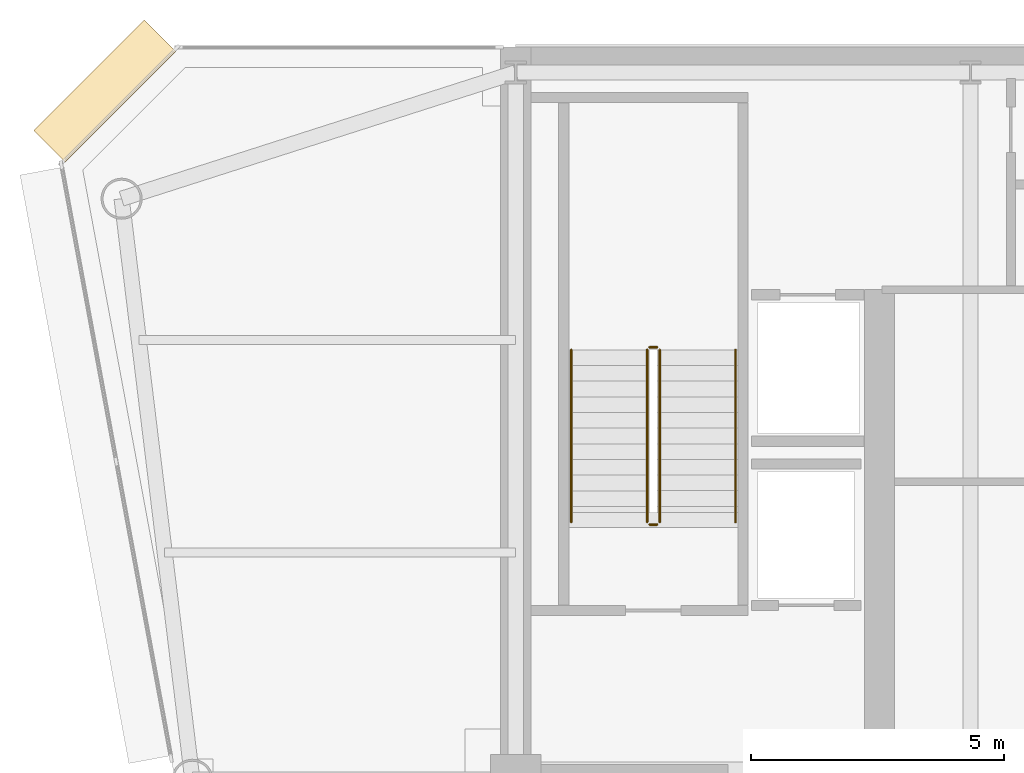
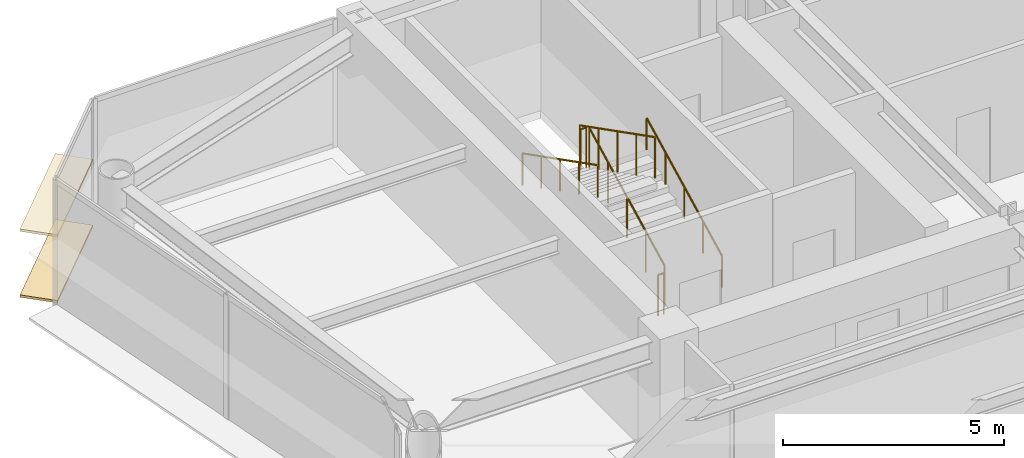
# One storey, part 15 of 17: 6 railings, 2 coverings.
"""IFC4 building model written with IfcOpenShell, lengths in metres."""

from ifc_helpers import new_model, si_unit, direction, frame, origin, origin_2d, place, context, subcontext, project, spatial, rectangle, circle, extrude, source, transform, mapped, material, layer, layer_set, type_object, element, save


model = new_model("IFC4")

# Units and contexts
model_context = context("Model", 3, precision=1e-05, world=origin(), true_north=direction((0.0, 1.0)))
body_context = subcontext(model_context, "Body", "Model", "MODEL_VIEW")
ifc_project = project(units=[si_unit("LENGTHUNIT", "METRE"), si_unit("AREAUNIT", "SQUARE_METRE"), si_unit("VOLUMEUNIT", "CUBIC_METRE"), si_unit("PLANEANGLEUNIT", "RADIAN"), si_unit("MASSUNIT", "GRAM", prefix="KILO")], contexts=[model_context])

# Site, building, storey
site_placement = place(None, origin())
site = spatial("IfcSite", under=ifc_project, at=site_placement, CompositionType="ELEMENT")
building_placement = place(site_placement, origin())
building = spatial("IfcBuilding", under=site, at=building_placement, Name="Vaeldorn Concourse Tower", CompositionType="ELEMENT")
storey_placement = place(building_placement, frame((0.0, 0.0, 214.60009765625)))
storey = spatial("IfcBuildingStorey", under=building, at=storey_placement, Name="L55", CompositionType="ELEMENT", Elevation=214.60009765625)

# Railings
ifc_material = material(Name="Anodised Bronze Aluminium", Category="aluminium")
railing_type_1 = type_object("IfcRailingType", Name="RL-STAIR-GUARD", PredefinedType="GUARDRAIL", material=ifc_material)
railing_1_placement = place(storey_placement, frame((16.85009765625, 41.60009765625, 0.158203125)))
element("IfcRailing", 1, at=railing_1_placement, inside=storey, type_object=railing_type_1, Name="L55 ST-1 stair guard 1", PredefinedType="GUARDRAIL", context=body_context, shape_type="SweptSolid", body=[
    extrude(circle(Radius=0.02392578125, at=origin_2d()), frame((0.0, 0.0, 1.1259765625), z_axis=(0.0, 0.890555807335, 0.454873997962), x_axis=(-1.0, 0.0, 0.0)), (0.0, 0.0, 1.0), 3.828857421875),
    extrude(circle(Radius=0.02099609375, at=origin_2d()), origin(), (0.0, 0.0, 1.0), 1.101806640625),
    extrude(circle(Radius=0.02099609375, at=origin_2d()), frame((0.0, 0.8525390625, 0.435546875)), (0.0, 0.0, 1.0), 1.101806640625),
    extrude(circle(Radius=0.02099609375, at=origin_2d()), frame((0.0, 1.705078125, 0.870849609375)), (0.0, 0.0, 1.0), 1.101806640625),
    extrude(circle(Radius=0.02099609375, at=origin_2d()), frame((0.0, 2.557373046875, 1.30615234375)), (0.0, 0.0, 1.0), 1.101806640625),
    extrude(circle(Radius=0.02099609375, at=origin_2d()), frame((0.0, 3.409912109375, 1.74169921875)), (0.0, 0.0, 1.0), 1.101806640625),
])
railing_2_placement = place(storey_placement, frame((16.800048828125, 45.06005859375, 1.89990234375)))
element("IfcRailing", 2, at=railing_2_placement, inside=storey, type_object=railing_type_1, Name="L55 ST-1 stair guard 2", PredefinedType="GUARDRAIL", context=body_context, shape_type="SweptSolid", body=[
    extrude(circle(Radius=0.02392578125, at=origin_2d()), frame((0.0, 0.0, 1.1259765625), z_axis=(-1.0, 0.0, 0.0), x_axis=(0.0, -1.0, 0.0)), (0.0, 0.0, 1.0), 0.150146484375),
    extrude(circle(Radius=0.02099609375, at=origin_2d()), origin(), (0.0, 0.0, 1.0), 1.101806640625),
    extrude(circle(Radius=0.02099609375, at=origin_2d()), frame((-0.150146484375, 0.0, 0.0)), (0.0, 0.0, 1.0), 1.101806640625),
])
railing_3_placement = place(storey_placement, frame((16.60009765625, 45.010009765625, 2.058349609375)))
element("IfcRailing", 3, at=railing_3_placement, inside=storey, type_object=railing_type_1, Name="L55 ST-1 stair guard 3", PredefinedType="GUARDRAIL", context=body_context, shape_type="SweptSolid", body=[
    extrude(circle(Radius=0.02392578125, at=origin_2d()), frame((0.0, 0.0, 1.1259765625), z_axis=(0.0, -0.890581635807, 0.454823427236), x_axis=(1.0, 0.0, 0.0)), (0.0, 0.0, 1.0), 3.828857421875),
    extrude(circle(Radius=0.02099609375, at=origin_2d()), origin(), (0.0, 0.0, 1.0), 1.101806640625),
    extrude(circle(Radius=0.02099609375, at=origin_2d()), frame((0.0, -0.8525390625, 0.435302734375)), (0.0, 0.0, 1.0), 1.101806640625),
    extrude(circle(Radius=0.02099609375, at=origin_2d()), frame((0.0, -1.705078125, 0.87060546875)), (0.0, 0.0, 1.0), 1.101806640625),
    extrude(circle(Radius=0.02099609375, at=origin_2d()), frame((0.0, -2.557373046875, 1.30615234375)), (0.0, 0.0, 1.0), 1.101806640625),
    extrude(circle(Radius=0.02099609375, at=origin_2d()), frame((0.0, -3.409912109375, 1.741455078125)), (0.0, 0.0, 1.0), 1.101806640625),
])
railing_4_placement = place(storey_placement, frame((16.800048828125, 41.550048828125, 0.0)))
element("IfcRailing", 4, at=railing_4_placement, inside=storey, type_object=railing_type_1, Name="L55 ST-1 stair guard 4", PredefinedType="GUARDRAIL", context=body_context, shape_type="SweptSolid", body=[
    extrude(circle(Radius=0.02392578125, at=origin_2d()), frame((0.0, 0.0, 1.1259765625), z_axis=(-1.0, 0.0, 0.0), x_axis=(0.0, -1.0, 0.0)), (0.0, 0.0, 1.0), 0.150146484375),
    extrude(circle(Radius=0.02099609375, at=origin_2d()), origin(), (0.0, 0.0, 1.0), 1.101806640625),
    extrude(circle(Radius=0.02099609375, at=origin_2d()), frame((-0.150146484375, 0.0, 0.0)), (0.0, 0.0, 1.0), 1.101806640625),
])
railing_type_2 = type_object("IfcRailingType", Name="RL-STAIR-HANDRAIL", PredefinedType="HANDRAIL", material=ifc_material)
railing_5_placement = place(storey_placement, frame((18.35009765625, 41.60009765625, 0.158203125)))
element("IfcRailing", 5, at=railing_5_placement, inside=storey, type_object=railing_type_2, Name="L55 ST-1 stair handrail 1", PredefinedType="HANDRAIL", context=body_context, shape_type="SweptSolid", body=[
    extrude(circle(Radius=0.02392578125, at=origin_2d()), frame((0.0, 0.0, 0.8759765625), z_axis=(0.0, 0.890555807335, 0.454873997962), x_axis=(-1.0, 0.0, 0.0)), (0.0, 0.0, 1.0), 3.828857421875),
    extrude(circle(Radius=0.02099609375, at=origin_2d()), origin(), (0.0, 0.0, 1.0), 0.851806640625),
    extrude(circle(Radius=0.02099609375, at=origin_2d()), frame((0.0, 0.8525390625, 0.435546875)), (0.0, 0.0, 1.0), 0.851806640625),
    extrude(circle(Radius=0.02099609375, at=origin_2d()), frame((0.0, 1.705078125, 0.870849609375)), (0.0, 0.0, 1.0), 0.851806640625),
    extrude(circle(Radius=0.02099609375, at=origin_2d()), frame((0.0, 2.557373046875, 1.30615234375)), (0.0, 0.0, 1.0), 0.851806640625),
    extrude(circle(Radius=0.02099609375, at=origin_2d()), frame((0.0, 3.409912109375, 1.74169921875)), (0.0, 0.0, 1.0), 0.851806640625),
])
railing_6_placement = place(storey_placement, frame((15.10009765625, 45.010009765625, 2.058349609375)))
element("IfcRailing", 6, at=railing_6_placement, inside=storey, type_object=railing_type_2, Name="L55 ST-1 stair handrail 2", PredefinedType="HANDRAIL", context=body_context, shape_type="SweptSolid", body=[
    extrude(circle(Radius=0.02392578125, at=origin_2d()), frame((0.0, 0.0, 0.8759765625), z_axis=(0.0, -0.890581635807, 0.454823427236), x_axis=(1.0, 0.0, 0.0)), (0.0, 0.0, 1.0), 3.828857421875),
    extrude(circle(Radius=0.02099609375, at=origin_2d()), origin(), (0.0, 0.0, 1.0), 0.851806640625),
    extrude(circle(Radius=0.02099609375, at=origin_2d()), frame((0.0, -0.8525390625, 0.435302734375)), (0.0, 0.0, 1.0), 0.851806640625),
    extrude(circle(Radius=0.02099609375, at=origin_2d()), frame((0.0, -1.705078125, 0.87060546875)), (0.0, 0.0, 1.0), 0.851806640625),
    extrude(circle(Radius=0.02099609375, at=origin_2d()), frame((0.0, -2.557373046875, 1.30615234375)), (0.0, 0.0, 1.0), 0.851806640625),
    extrude(circle(Radius=0.02099609375, at=origin_2d()), frame((0.0, -3.409912109375, 1.741455078125)), (0.0, 0.0, 1.0), 0.851806640625),
])

# Coverings
ifc_layer = layer(ifc_material, 0.06494140625)
ifc_layer_set = layer_set([ifc_layer], Name="Anodised Bronze Aluminium")
covering_type = type_object("IfcCoveringType", Name="SD-BRONZE-SUNSHADE", PredefinedType="USERDEFINED", material=ifc_layer_set)
shared_shape = source(origin(), body_context, "Body", "SweptSolid", [
    extrude(rectangle(XDim=3.0927734375, YDim=0.8798828125, at=origin_2d()), origin(), (0.0, 0.0, 1.0), 0.06494140625),
])
for number, where, z_axis, x_axis, name in (
    (7, (5.8671875, 50.1328125, 0.04736328125), (0.0, 0.0, 1.0), (-0.707106781187, -0.707106781187, 0.0), "Horizontal Bronze Sunshade L55-E10.1.1"),
    (8, (5.8671875, 50.1328125, 1.867431640625), (0.0, 0.0, 1.0), (-0.707106781187, -0.707106781187, 0.0), "Horizontal Bronze Sunshade L55-E10.1.2"),
):
    element("IfcCovering", number, at=place(storey_placement, frame(where, z_axis=z_axis, x_axis=x_axis)), inside=storey, type_object=covering_type, Name=name, ObjectType="SUNSHADE", PredefinedType="USERDEFINED", context=body_context, shape_type="MappedRepresentation", body=[
        mapped(shared_shape, transform((0.0, 0.0, 0.0), scale=1.0)),
    ])

save(model, "model.ifc")
